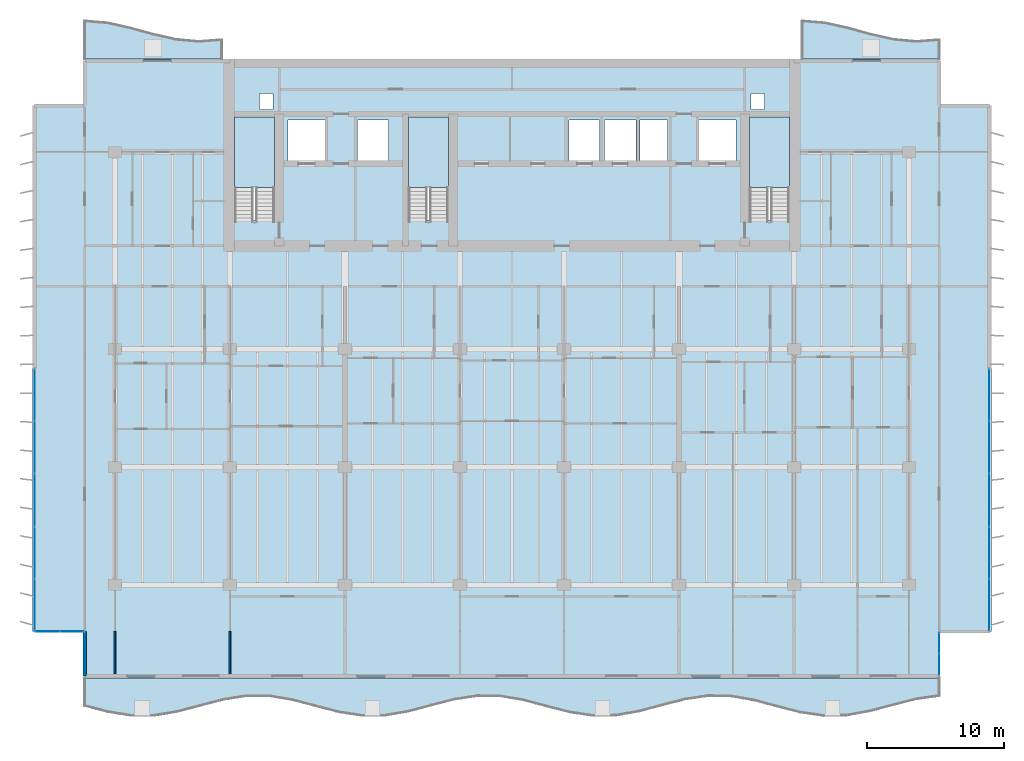
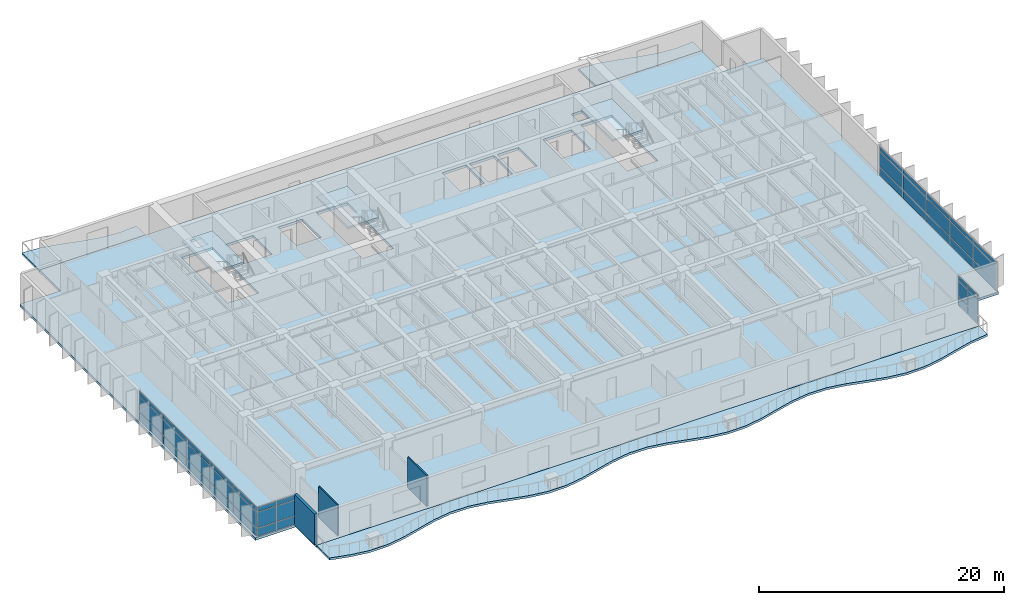
# One storey, part 5 of 15: 42 plates, 7 slabs, 3 walls, 7 elements without a shape of their own.
"""IFC4 building model written with IfcOpenShell, lengths in metres."""

from ifc_helpers import new_model, si_unit, direction, frame, frame_2d, origin, origin_2d, place, context, subcontext, project, spatial, polyline, rectangle, outline, extrude, material, layer, layer_set, type_object, element, aggregate, save


model = new_model("IFC4")

# Units and contexts
model_context = context("Model", 3, precision=1e-05, world=origin(), true_north=direction((0.0, 1.0)))
body_context = subcontext(model_context, "Body", "Model", "MODEL_VIEW")
ifc_project = project(units=[si_unit("LENGTHUNIT", "METRE"), si_unit("AREAUNIT", "SQUARE_METRE"), si_unit("VOLUMEUNIT", "CUBIC_METRE"), si_unit("PLANEANGLEUNIT", "RADIAN"), si_unit("MASSUNIT", "GRAM", prefix="KILO")], contexts=[model_context])

# Site, building, storey
site_placement = place(None, origin())
site = spatial("IfcSite", under=ifc_project, at=site_placement, CompositionType="ELEMENT")
building_placement = place(site_placement, origin())
building = spatial("IfcBuilding", under=site, at=building_placement, Name="Caelmar Bay Residences", CompositionType="ELEMENT")
storey_placement = place(building_placement, frame((0.0, 0.0, 135.60009765625)))
storey = spatial("IfcBuildingStorey", under=building, at=storey_placement, Name="L37", CompositionType="ELEMENT", Elevation=135.60009765625)

# Curtain wall, plates
ifc_material_1 = material(Name="Anodised bronze aluminium 6063-T6 and laminated glass", Category="aluminium")
ifc_layer_1 = layer(ifc_material_1, 0.179931640625)
ifc_layer_set_1 = layer_set([ifc_layer_1], Name="Anodised bronze aluminium 6063-T6 and laminated glass")
curtain_wall_type_1 = type_object("IfcCurtainWallType", Name="CW6-NTC", PredefinedType="NOTDEFINED", material=ifc_layer_set_1)
curtain_wall_1_placement = place(storey_placement, origin())
curtain_wall_1 = element("IfcCurtainWall", 1, at=curtain_wall_1_placement, inside=storey, type_object=curtain_wall_type_1, Name="CW6 curtain wall L37", PredefinedType="NOTDEFINED")
ifc_material_2 = material(Name="Bronze-tinted laminated low-E hurricane glass 28 mm", Category="glass")
ifc_layer_2 = layer(ifc_material_2, 0.028076171875)
ifc_layer_set_2 = layer_set([ifc_layer_2], Name="Bronze-tinted laminated low-E hurricane glass 28 mm")
plate_type = type_object("IfcPlateType", Name="CWP-GLZ28", PredefinedType="CURTAIN_PANEL", material=ifc_layer_set_2)
plate_1_placement = place(storey_placement, frame((4.982421875, 8.800048828125, 0.080078125), z_axis=(0.0, 0.0, 1.0), x_axis=(1.0, 0.0, 0.0)))
plate_1 = element("IfcPlate", 2, at=plate_1_placement, type_object=plate_type, Name="CW6 panel 1.1", PredefinedType="CURTAIN_PANEL", context=body_context, shape_type="SweptSolid", body=[
    extrude(rectangle(XDim=1.705078125, YDim=0.028076171875, at=origin_2d()), origin(), (0.0, 0.0, 1.0), 0.780029296875),
])
plate_2_placement = place(storey_placement, frame((4.982421875, 8.800048828125, 0.93994140625), z_axis=(0.0, 0.0, 1.0), x_axis=(1.0, 0.0, 0.0)))
plate_2 = element("IfcPlate", 3, at=plate_2_placement, type_object=plate_type, Name="CW6 panel 1.2", PredefinedType="CURTAIN_PANEL", context=body_context, shape_type="SweptSolid", body=[
    extrude(rectangle(XDim=1.705078125, YDim=0.028076171875, at=origin_2d()), origin(), (0.0, 0.0, 1.0), 1.52001953125),
])
plate_3_placement = place(storey_placement, frame((4.982421875, 8.800048828125, 2.5400390625), z_axis=(0.0, 0.0, 1.0), x_axis=(1.0, 0.0, 0.0)))
plate_3 = element("IfcPlate", 4, at=plate_3_placement, type_object=plate_type, Name="CW6 panel 1.3", PredefinedType="CURTAIN_PANEL", context=body_context, shape_type="SweptSolid", body=[
    extrude(rectangle(XDim=1.705078125, YDim=0.028076171875, at=origin_2d()), origin(), (0.0, 0.0, 1.0), 0.429931640625),
])
plate_4_placement = place(storey_placement, frame((6.767578125, 8.800048828125, 0.080078125), z_axis=(0.0, 0.0, 1.0), x_axis=(1.0, 0.0, 0.0)))
plate_4 = element("IfcPlate", 5, at=plate_4_placement, type_object=plate_type, Name="CW6 panel 2.1", PredefinedType="CURTAIN_PANEL", context=body_context, shape_type="SweptSolid", body=[
    extrude(rectangle(XDim=1.705078125, YDim=0.028076171875, at=origin_2d()), origin(), (0.0, 0.0, 1.0), 0.780029296875),
])
plate_5_placement = place(storey_placement, frame((6.767578125, 8.800048828125, 0.93994140625), z_axis=(0.0, 0.0, 1.0), x_axis=(1.0, 0.0, 0.0)))
plate_5 = element("IfcPlate", 6, at=plate_5_placement, type_object=plate_type, Name="CW6 panel 2.2", PredefinedType="CURTAIN_PANEL", context=body_context, shape_type="SweptSolid", body=[
    extrude(rectangle(XDim=1.705078125, YDim=0.028076171875, at=origin_2d()), origin(), (0.0, 0.0, 1.0), 1.52001953125),
])
plate_6_placement = place(storey_placement, frame((6.767578125, 8.800048828125, 2.5400390625), z_axis=(0.0, 0.0, 1.0), x_axis=(1.0, 0.0, 0.0)))
plate_6 = element("IfcPlate", 7, at=plate_6_placement, type_object=plate_type, Name="CW6 panel 2.3", PredefinedType="CURTAIN_PANEL", context=body_context, shape_type="SweptSolid", body=[
    extrude(rectangle(XDim=1.705078125, YDim=0.028076171875, at=origin_2d()), origin(), (0.0, 0.0, 1.0), 0.429931640625),
])
aggregate(curtain_wall_1, [plate_1, plate_2, plate_3, plate_4, plate_5, plate_6])

curtain_wall_2_placement = place(storey_placement, origin())
curtain_wall_2 = element("IfcCurtainWall", 8, at=curtain_wall_2_placement, inside=storey, type_object=curtain_wall_type_1, Name="CW6 curtain wall L37", PredefinedType="NOTDEFINED")
plate_7_placement = place(storey_placement, frame((70.10009765625, 6.382568359375, 0.080078125), z_axis=(0.0, 0.0, 1.0), x_axis=(0.0, 1.0, 0.0)))
plate_7 = element("IfcPlate", 9, at=plate_7_placement, type_object=plate_type, Name="CW6 panel 1.1", PredefinedType="CURTAIN_PANEL", context=body_context, shape_type="SweptSolid", body=[
    extrude(rectangle(XDim=1.5048828125, YDim=0.028076171875, at=origin_2d()), origin(), (0.0, 0.0, 1.0), 0.780029296875),
])
plate_8_placement = place(storey_placement, frame((70.10009765625, 6.382568359375, 0.93994140625), z_axis=(0.0, 0.0, 1.0), x_axis=(0.0, 1.0, 0.0)))
plate_8 = element("IfcPlate", 10, at=plate_8_placement, type_object=plate_type, Name="CW6 panel 1.2", PredefinedType="CURTAIN_PANEL", context=body_context, shape_type="SweptSolid", body=[
    extrude(rectangle(XDim=1.5048828125, YDim=0.028076171875, at=origin_2d()), origin(), (0.0, 0.0, 1.0), 1.52001953125),
])
plate_9_placement = place(storey_placement, frame((70.10009765625, 6.382568359375, 2.5400390625), z_axis=(0.0, 0.0, 1.0), x_axis=(0.0, 1.0, 0.0)))
plate_9 = element("IfcPlate", 11, at=plate_9_placement, type_object=plate_type, Name="CW6 panel 1.3", PredefinedType="CURTAIN_PANEL", context=body_context, shape_type="SweptSolid", body=[
    extrude(rectangle(XDim=1.5048828125, YDim=0.028076171875, at=origin_2d()), origin(), (0.0, 0.0, 1.0), 0.429931640625),
])
plate_10_placement = place(storey_placement, frame((70.10009765625, 7.967529296875, 0.080078125), z_axis=(0.0, 0.0, 1.0), x_axis=(0.0, 1.0, 0.0)))
plate_10 = element("IfcPlate", 12, at=plate_10_placement, type_object=plate_type, Name="CW6 panel 2.1", PredefinedType="CURTAIN_PANEL", context=body_context, shape_type="SweptSolid", body=[
    extrude(rectangle(XDim=1.5048828125, YDim=0.028076171875, at=origin_2d()), origin(), (0.0, 0.0, 1.0), 0.780029296875),
])
plate_11_placement = place(storey_placement, frame((70.10009765625, 7.967529296875, 0.93994140625), z_axis=(0.0, 0.0, 1.0), x_axis=(0.0, 1.0, 0.0)))
plate_11 = element("IfcPlate", 13, at=plate_11_placement, type_object=plate_type, Name="CW6 panel 2.2", PredefinedType="CURTAIN_PANEL", context=body_context, shape_type="SweptSolid", body=[
    extrude(rectangle(XDim=1.5048828125, YDim=0.028076171875, at=origin_2d()), origin(), (0.0, 0.0, 1.0), 1.52001953125),
])
plate_12_placement = place(storey_placement, frame((70.10009765625, 7.967529296875, 2.5400390625), z_axis=(0.0, 0.0, 1.0), x_axis=(0.0, 1.0, 0.0)))
plate_12 = element("IfcPlate", 14, at=plate_12_placement, type_object=plate_type, Name="CW6 panel 2.3", PredefinedType="CURTAIN_PANEL", context=body_context, shape_type="SweptSolid", body=[
    extrude(rectangle(XDim=1.5048828125, YDim=0.028076171875, at=origin_2d()), origin(), (0.0, 0.0, 1.0), 0.429931640625),
])
aggregate(curtain_wall_2, [plate_7, plate_8, plate_9, plate_10, plate_11, plate_12])

ifc_layer_3 = layer(ifc_material_1, 0.179931640625)
ifc_layer_set_3 = layer_set([ifc_layer_3], Name="Anodised bronze aluminium 6063-T6 and laminated glass")
curtain_wall_type_2 = type_object("IfcCurtainWallType", Name="CW3-Z2", PredefinedType="NOTDEFINED", material=ifc_layer_set_3)
curtain_wall_3_placement = place(storey_placement, origin())
curtain_wall_3 = element("IfcCurtainWall", 15, at=curtain_wall_3_placement, inside=storey, type_object=curtain_wall_type_2, Name="CW3 curtain wall L37", PredefinedType="NOTDEFINED")
plate_13_placement = place(storey_placement, frame((4.050048828125, 10.739990234375, 0.080078125), z_axis=(0.0, 0.0, 1.0), x_axis=(0.0, 1.0, 0.0)))
plate_13 = element("IfcPlate", 16, at=plate_13_placement, type_object=plate_type, Name="CW3 panel 1.1", PredefinedType="CURTAIN_PANEL", context=body_context, shape_type="SweptSolid", body=[
    extrude(rectangle(XDim=3.719970703125, YDim=0.028076171875, at=origin_2d()), origin(), (0.0, 0.0, 1.0), 0.780029296875),
])
plate_14_placement = place(storey_placement, frame((4.050048828125, 10.739990234375, 0.93994140625), z_axis=(0.0, 0.0, 1.0), x_axis=(0.0, 1.0, 0.0)))
plate_14 = element("IfcPlate", 17, at=plate_14_placement, type_object=plate_type, Name="CW3 panel 1.2", PredefinedType="CURTAIN_PANEL", context=body_context, shape_type="SweptSolid", body=[
    extrude(rectangle(XDim=3.719970703125, YDim=0.028076171875, at=origin_2d()), origin(), (0.0, 0.0, 1.0), 1.52001953125),
])
plate_15_placement = place(storey_placement, frame((4.050048828125, 10.739990234375, 2.5400390625), z_axis=(0.0, 0.0, 1.0), x_axis=(0.0, 1.0, 0.0)))
plate_15 = element("IfcPlate", 18, at=plate_15_placement, type_object=plate_type, Name="CW3 panel 1.3", PredefinedType="CURTAIN_PANEL", context=body_context, shape_type="SweptSolid", body=[
    extrude(rectangle(XDim=3.719970703125, YDim=0.028076171875, at=origin_2d()), origin(), (0.0, 0.0, 1.0), 0.429931640625),
])
plate_16_placement = place(storey_placement, frame((4.050048828125, 14.56005859375, 0.080078125), z_axis=(0.0, 0.0, 1.0), x_axis=(0.0, 1.0, 0.0)))
plate_16 = element("IfcPlate", 19, at=plate_16_placement, type_object=plate_type, Name="CW3 panel 2.1", PredefinedType="CURTAIN_PANEL", context=body_context, shape_type="SweptSolid", body=[
    extrude(rectangle(XDim=3.760009765625, YDim=0.028076171875, at=origin_2d()), origin(), (0.0, 0.0, 1.0), 0.780029296875),
])
plate_17_placement = place(storey_placement, frame((4.050048828125, 14.56005859375, 0.93994140625), z_axis=(0.0, 0.0, 1.0), x_axis=(0.0, 1.0, 0.0)))
plate_17 = element("IfcPlate", 20, at=plate_17_placement, type_object=plate_type, Name="CW3 panel 2.2", PredefinedType="CURTAIN_PANEL", context=body_context, shape_type="SweptSolid", body=[
    extrude(rectangle(XDim=3.760009765625, YDim=0.028076171875, at=origin_2d()), origin(), (0.0, 0.0, 1.0), 1.52001953125),
])
plate_18_placement = place(storey_placement, frame((4.050048828125, 14.56005859375, 2.5400390625), z_axis=(0.0, 0.0, 1.0), x_axis=(0.0, 1.0, 0.0)))
plate_18 = element("IfcPlate", 21, at=plate_18_placement, type_object=plate_type, Name="CW3 panel 2.3", PredefinedType="CURTAIN_PANEL", context=body_context, shape_type="SweptSolid", body=[
    extrude(rectangle(XDim=3.760009765625, YDim=0.028076171875, at=origin_2d()), origin(), (0.0, 0.0, 1.0), 0.429931640625),
])
plate_19_placement = place(storey_placement, frame((4.050048828125, 18.39990234375, 0.080078125), z_axis=(0.0, 0.0, 1.0), x_axis=(0.0, 1.0, 0.0)))
plate_19 = element("IfcPlate", 22, at=plate_19_placement, type_object=plate_type, Name="CW3 panel 3.1", PredefinedType="CURTAIN_PANEL", context=body_context, shape_type="SweptSolid", body=[
    extrude(rectangle(XDim=3.760009765625, YDim=0.028076171875, at=origin_2d()), origin(), (0.0, 0.0, 1.0), 0.780029296875),
])
plate_20_placement = place(storey_placement, frame((4.050048828125, 18.39990234375, 0.93994140625), z_axis=(0.0, 0.0, 1.0), x_axis=(0.0, 1.0, 0.0)))
plate_20 = element("IfcPlate", 23, at=plate_20_placement, type_object=plate_type, Name="CW3 panel 3.2", PredefinedType="CURTAIN_PANEL", context=body_context, shape_type="SweptSolid", body=[
    extrude(rectangle(XDim=3.760009765625, YDim=0.028076171875, at=origin_2d()), origin(), (0.0, 0.0, 1.0), 1.52001953125),
])
plate_21_placement = place(storey_placement, frame((4.050048828125, 18.39990234375, 2.5400390625), z_axis=(0.0, 0.0, 1.0), x_axis=(0.0, 1.0, 0.0)))
plate_21 = element("IfcPlate", 24, at=plate_21_placement, type_object=plate_type, Name="CW3 panel 3.3", PredefinedType="CURTAIN_PANEL", context=body_context, shape_type="SweptSolid", body=[
    extrude(rectangle(XDim=3.760009765625, YDim=0.028076171875, at=origin_2d()), origin(), (0.0, 0.0, 1.0), 0.429931640625),
])
plate_22_placement = place(storey_placement, frame((4.050048828125, 22.239990234375, 0.080078125), z_axis=(0.0, 0.0, 1.0), x_axis=(0.0, 1.0, 0.0)))
plate_22 = element("IfcPlate", 25, at=plate_22_placement, type_object=plate_type, Name="CW3 panel 4.1", PredefinedType="CURTAIN_PANEL", context=body_context, shape_type="SweptSolid", body=[
    extrude(rectangle(XDim=3.760009765625, YDim=0.028076171875, at=origin_2d()), origin(), (0.0, 0.0, 1.0), 0.780029296875),
])
plate_23_placement = place(storey_placement, frame((4.050048828125, 22.239990234375, 0.93994140625), z_axis=(0.0, 0.0, 1.0), x_axis=(0.0, 1.0, 0.0)))
plate_23 = element("IfcPlate", 26, at=plate_23_placement, type_object=plate_type, Name="CW3 panel 4.2", PredefinedType="CURTAIN_PANEL", context=body_context, shape_type="SweptSolid", body=[
    extrude(rectangle(XDim=3.760009765625, YDim=0.028076171875, at=origin_2d()), origin(), (0.0, 0.0, 1.0), 1.52001953125),
])
plate_24_placement = place(storey_placement, frame((4.050048828125, 22.239990234375, 2.5400390625), z_axis=(0.0, 0.0, 1.0), x_axis=(0.0, 1.0, 0.0)))
plate_24 = element("IfcPlate", 27, at=plate_24_placement, type_object=plate_type, Name="CW3 panel 4.3", PredefinedType="CURTAIN_PANEL", context=body_context, shape_type="SweptSolid", body=[
    extrude(rectangle(XDim=3.760009765625, YDim=0.028076171875, at=origin_2d()), origin(), (0.0, 0.0, 1.0), 0.429931640625),
])
plate_25_placement = place(storey_placement, frame((4.050048828125, 26.06005859375, 0.080078125), z_axis=(0.0, 0.0, 1.0), x_axis=(0.0, 1.0, 0.0)))
plate_25 = element("IfcPlate", 28, at=plate_25_placement, type_object=plate_type, Name="CW3 panel 5.1", PredefinedType="CURTAIN_PANEL", context=body_context, shape_type="SweptSolid", body=[
    extrude(rectangle(XDim=3.719970703125, YDim=0.028076171875, at=origin_2d()), origin(), (0.0, 0.0, 1.0), 0.780029296875),
])
plate_26_placement = place(storey_placement, frame((4.050048828125, 26.06005859375, 0.93994140625), z_axis=(0.0, 0.0, 1.0), x_axis=(0.0, 1.0, 0.0)))
plate_26 = element("IfcPlate", 29, at=plate_26_placement, type_object=plate_type, Name="CW3 panel 5.2", PredefinedType="CURTAIN_PANEL", context=body_context, shape_type="SweptSolid", body=[
    extrude(rectangle(XDim=3.719970703125, YDim=0.028076171875, at=origin_2d()), origin(), (0.0, 0.0, 1.0), 1.52001953125),
])
plate_27_placement = place(storey_placement, frame((4.050048828125, 26.06005859375, 2.5400390625), z_axis=(0.0, 0.0, 1.0), x_axis=(0.0, 1.0, 0.0)))
plate_27 = element("IfcPlate", 30, at=plate_27_placement, type_object=plate_type, Name="CW3 panel 5.3", PredefinedType="CURTAIN_PANEL", context=body_context, shape_type="SweptSolid", body=[
    extrude(rectangle(XDim=3.719970703125, YDim=0.028076171875, at=origin_2d()), origin(), (0.0, 0.0, 1.0), 0.429931640625),
])
aggregate(curtain_wall_3, [plate_13, plate_14, plate_15, plate_16, plate_17, plate_18, plate_19, plate_20, plate_21, plate_22, plate_23, plate_24, plate_25, plate_26, plate_27])

curtain_wall_4_placement = place(storey_placement, origin())
curtain_wall_4 = element("IfcCurtainWall", 31, at=curtain_wall_4_placement, inside=storey, type_object=curtain_wall_type_2, Name="CW3 curtain wall L37", PredefinedType="NOTDEFINED")
plate_28_placement = place(storey_placement, frame((73.75, 26.06005859375, 0.080078125), z_axis=(0.0, 0.0, 1.0), x_axis=(0.0, -1.0, 0.0)))
plate_28 = element("IfcPlate", 32, at=plate_28_placement, type_object=plate_type, Name="CW3 panel 1.1", PredefinedType="CURTAIN_PANEL", context=body_context, shape_type="SweptSolid", body=[
    extrude(rectangle(XDim=3.719970703125, YDim=0.028076171875, at=origin_2d()), origin(), (0.0, 0.0, 1.0), 0.780029296875),
])
plate_29_placement = place(storey_placement, frame((73.75, 26.06005859375, 0.93994140625), z_axis=(0.0, 0.0, 1.0), x_axis=(0.0, -1.0, 0.0)))
plate_29 = element("IfcPlate", 33, at=plate_29_placement, type_object=plate_type, Name="CW3 panel 1.2", PredefinedType="CURTAIN_PANEL", context=body_context, shape_type="SweptSolid", body=[
    extrude(rectangle(XDim=3.719970703125, YDim=0.028076171875, at=origin_2d()), origin(), (0.0, 0.0, 1.0), 1.52001953125),
])
plate_30_placement = place(storey_placement, frame((73.75, 26.06005859375, 2.5400390625), z_axis=(0.0, 0.0, 1.0), x_axis=(0.0, -1.0, 0.0)))
plate_30 = element("IfcPlate", 34, at=plate_30_placement, type_object=plate_type, Name="CW3 panel 1.3", PredefinedType="CURTAIN_PANEL", context=body_context, shape_type="SweptSolid", body=[
    extrude(rectangle(XDim=3.719970703125, YDim=0.028076171875, at=origin_2d()), origin(), (0.0, 0.0, 1.0), 0.429931640625),
])
plate_31_placement = place(storey_placement, frame((73.75, 22.239990234375, 0.080078125), z_axis=(0.0, 0.0, 1.0), x_axis=(0.0, -1.0, 0.0)))
plate_31 = element("IfcPlate", 35, at=plate_31_placement, type_object=plate_type, Name="CW3 panel 2.1", PredefinedType="CURTAIN_PANEL", context=body_context, shape_type="SweptSolid", body=[
    extrude(rectangle(XDim=3.760009765625, YDim=0.028076171875, at=origin_2d()), origin(), (0.0, 0.0, 1.0), 0.780029296875),
])
plate_32_placement = place(storey_placement, frame((73.75, 22.239990234375, 0.93994140625), z_axis=(0.0, 0.0, 1.0), x_axis=(0.0, -1.0, 0.0)))
plate_32 = element("IfcPlate", 36, at=plate_32_placement, type_object=plate_type, Name="CW3 panel 2.2", PredefinedType="CURTAIN_PANEL", context=body_context, shape_type="SweptSolid", body=[
    extrude(rectangle(XDim=3.760009765625, YDim=0.028076171875, at=origin_2d()), origin(), (0.0, 0.0, 1.0), 1.52001953125),
])
plate_33_placement = place(storey_placement, frame((73.75, 22.239990234375, 2.5400390625), z_axis=(0.0, 0.0, 1.0), x_axis=(0.0, -1.0, 0.0)))
plate_33 = element("IfcPlate", 37, at=plate_33_placement, type_object=plate_type, Name="CW3 panel 2.3", PredefinedType="CURTAIN_PANEL", context=body_context, shape_type="SweptSolid", body=[
    extrude(rectangle(XDim=3.760009765625, YDim=0.028076171875, at=origin_2d()), origin(), (0.0, 0.0, 1.0), 0.429931640625),
])
plate_34_placement = place(storey_placement, frame((73.75, 18.39990234375, 0.080078125), z_axis=(0.0, 0.0, 1.0), x_axis=(0.0, -1.0, 0.0)))
plate_34 = element("IfcPlate", 38, at=plate_34_placement, type_object=plate_type, Name="CW3 panel 3.1", PredefinedType="CURTAIN_PANEL", context=body_context, shape_type="SweptSolid", body=[
    extrude(rectangle(XDim=3.760009765625, YDim=0.028076171875, at=origin_2d()), origin(), (0.0, 0.0, 1.0), 0.780029296875),
])
plate_35_placement = place(storey_placement, frame((73.75, 18.39990234375, 0.93994140625), z_axis=(0.0, 0.0, 1.0), x_axis=(0.0, -1.0, 0.0)))
plate_35 = element("IfcPlate", 39, at=plate_35_placement, type_object=plate_type, Name="CW3 panel 3.2", PredefinedType="CURTAIN_PANEL", context=body_context, shape_type="SweptSolid", body=[
    extrude(rectangle(XDim=3.760009765625, YDim=0.028076171875, at=origin_2d()), origin(), (0.0, 0.0, 1.0), 1.52001953125),
])
plate_36_placement = place(storey_placement, frame((73.75, 18.39990234375, 2.5400390625), z_axis=(0.0, 0.0, 1.0), x_axis=(0.0, -1.0, 0.0)))
plate_36 = element("IfcPlate", 40, at=plate_36_placement, type_object=plate_type, Name="CW3 panel 3.3", PredefinedType="CURTAIN_PANEL", context=body_context, shape_type="SweptSolid", body=[
    extrude(rectangle(XDim=3.760009765625, YDim=0.028076171875, at=origin_2d()), origin(), (0.0, 0.0, 1.0), 0.429931640625),
])
plate_37_placement = place(storey_placement, frame((73.75, 14.56005859375, 0.080078125), z_axis=(0.0, 0.0, 1.0), x_axis=(0.0, -1.0, 0.0)))
plate_37 = element("IfcPlate", 41, at=plate_37_placement, type_object=plate_type, Name="CW3 panel 4.1", PredefinedType="CURTAIN_PANEL", context=body_context, shape_type="SweptSolid", body=[
    extrude(rectangle(XDim=3.760009765625, YDim=0.028076171875, at=origin_2d()), origin(), (0.0, 0.0, 1.0), 0.780029296875),
])
plate_38_placement = place(storey_placement, frame((73.75, 14.56005859375, 0.93994140625), z_axis=(0.0, 0.0, 1.0), x_axis=(0.0, -1.0, 0.0)))
plate_38 = element("IfcPlate", 42, at=plate_38_placement, type_object=plate_type, Name="CW3 panel 4.2", PredefinedType="CURTAIN_PANEL", context=body_context, shape_type="SweptSolid", body=[
    extrude(rectangle(XDim=3.760009765625, YDim=0.028076171875, at=origin_2d()), origin(), (0.0, 0.0, 1.0), 1.52001953125),
])
plate_39_placement = place(storey_placement, frame((73.75, 14.56005859375, 2.5400390625), z_axis=(0.0, 0.0, 1.0), x_axis=(0.0, -1.0, 0.0)))
plate_39 = element("IfcPlate", 43, at=plate_39_placement, type_object=plate_type, Name="CW3 panel 4.3", PredefinedType="CURTAIN_PANEL", context=body_context, shape_type="SweptSolid", body=[
    extrude(rectangle(XDim=3.760009765625, YDim=0.028076171875, at=origin_2d()), origin(), (0.0, 0.0, 1.0), 0.429931640625),
])
plate_40_placement = place(storey_placement, frame((73.75, 10.739990234375, 0.080078125), z_axis=(0.0, 0.0, 1.0), x_axis=(0.0, -1.0, 0.0)))
plate_40 = element("IfcPlate", 44, at=plate_40_placement, type_object=plate_type, Name="CW3 panel 5.1", PredefinedType="CURTAIN_PANEL", context=body_context, shape_type="SweptSolid", body=[
    extrude(rectangle(XDim=3.719970703125, YDim=0.028076171875, at=origin_2d()), origin(), (0.0, 0.0, 1.0), 0.780029296875),
])
plate_41_placement = place(storey_placement, frame((73.75, 10.739990234375, 0.93994140625), z_axis=(0.0, 0.0, 1.0), x_axis=(0.0, -1.0, 0.0)))
plate_41 = element("IfcPlate", 45, at=plate_41_placement, type_object=plate_type, Name="CW3 panel 5.2", PredefinedType="CURTAIN_PANEL", context=body_context, shape_type="SweptSolid", body=[
    extrude(rectangle(XDim=3.719970703125, YDim=0.028076171875, at=origin_2d()), origin(), (0.0, 0.0, 1.0), 1.52001953125),
])
plate_42_placement = place(storey_placement, frame((73.75, 10.739990234375, 2.5400390625), z_axis=(0.0, 0.0, 1.0), x_axis=(0.0, -1.0, 0.0)))
plate_42 = element("IfcPlate", 46, at=plate_42_placement, type_object=plate_type, Name="CW3 panel 5.3", PredefinedType="CURTAIN_PANEL", context=body_context, shape_type="SweptSolid", body=[
    extrude(rectangle(XDim=3.719970703125, YDim=0.028076171875, at=origin_2d()), origin(), (0.0, 0.0, 1.0), 0.429931640625),
])
aggregate(curtain_wall_4, [plate_28, plate_29, plate_30, plate_31, plate_32, plate_33, plate_34, plate_35, plate_36, plate_37, plate_38, plate_39, plate_40, plate_41, plate_42])

# Slabs
ifc_material_3 = material(Name="Concrete f'c 40 MPa (6,000 psi)", Category="concrete")
ifc_layer_4 = layer(ifc_material_3, 0.219970703125)
ifc_layer_set_4 = layer_set([ifc_layer_4], Name="Concrete f'c 40 MPa (6,000 psi)")
slab_type_1 = type_object("IfcSlabType", Name="SLB-BAL-220", PredefinedType="FLOOR", material=ifc_layer_set_4)
slab_1_placement = place(storey_placement, frame((0.0, 0.0, -0.22021484375)))
element("IfcSlab", 47, at=slab_1_placement, inside=storey, type_object=slab_type_1, Name="L37 Sinusoidal Tree-Balcony Slab south", PredefinedType="FLOOR", context=body_context, shape_type="SweptSolid", body=[
    extrude(outline(polyline([(7.699951171875, 3.300048828125), (9.386474609375, 2.857666015625), (11.072998046875, 2.585693359375), (12.759521484375, 2.58837890625), (14.44580078125, 2.864990234375), (16.13232421875, 3.30908203125), (17.81884765625, 3.74951171875), (19.50537109375, 4.01708984375), (21.19189453125, 4.0087890625), (22.87841796875, 3.7275390625), (24.56494140625, 3.28173828125), (26.25146484375, 2.843017578125), (27.937744140625, 2.580322265625), (29.624267578125, 2.594482421875), (31.310791015625, 2.8798828125), (32.997314453125, 3.327392578125), (34.683837890625, 3.76416015625), (36.370361328125, 4.022216796875), (38.056884765625, 4.00244140625), (39.7431640625, 3.71240234375), (41.4296875, 3.263671875), (43.1162109375, 2.828857421875), (44.802734375, 2.575439453125), (46.4892578125, 2.6005859375), (48.17578125, 2.895263671875), (49.8623046875, 3.345458984375), (51.548583984375, 3.7783203125), (53.235107421875, 4.02685546875), (54.921630859375, 3.995849609375), (56.608154296875, 3.697021484375), (58.294677734375, 3.24560546875), (59.981201171875, 2.814697265625), (61.66748046875, 2.57080078125), (63.35400390625, 2.607421875), (65.04052734375, 2.91064453125), (66.72705078125, 3.363525390625), (68.41357421875, 3.7919921875), (70.10009765625, 4.03125), (70.10009765625, 5.39990234375), (7.699951171875, 5.39990234375), (7.699951171875, 3.300048828125)])), origin(), (0.0, 0.0, 1.0), 0.22021484375),
])
slab_2_placement = place(storey_placement, frame((0.0, 0.0, -0.22021484375)))
element("IfcSlab", 48, at=slab_2_placement, inside=storey, type_object=slab_type_1, Name="L37 Sinusoidal Tree-Balcony Slab north_west", PredefinedType="FLOOR", context=body_context, shape_type="SweptSolid", body=[
    extrude(outline(polyline([(7.699951171875, 50.60009765625), (17.699951171875, 50.60009765625), (17.699951171875, 52.080322265625), (16.033203125, 51.9501953125), (14.36669921875, 52.10205078125), (12.699951171875, 52.47900390625), (11.033203125, 52.93896484375), (9.36669921875, 53.308837890625), (7.699951171875, 53.449951171875), (7.699951171875, 50.60009765625)])), origin(), (0.0, 0.0, 1.0), 0.22021484375),
])
slab_3_placement = place(storey_placement, frame((0.0, 0.0, -0.22021484375)))
element("IfcSlab", 49, at=slab_3_placement, inside=storey, type_object=slab_type_1, Name="L37 Sinusoidal Tree-Balcony Slab north_east", PredefinedType="FLOOR", context=body_context, shape_type="SweptSolid", body=[
    extrude(outline(polyline([(60.10009765625, 50.60009765625), (70.10009765625, 50.60009765625), (70.10009765625, 52.080322265625), (68.433349609375, 51.9501953125), (66.7666015625, 52.10205078125), (65.10009765625, 52.47900390625), (63.433349609375, 52.93896484375), (61.7666015625, 53.308837890625), (60.10009765625, 53.449951171875), (60.10009765625, 50.60009765625)])), origin(), (0.0, 0.0, 1.0), 0.22021484375),
])

# Stair, slab
stair_type = type_object("IfcStairType", Name="ST-TYP-165", PredefinedType="HALF_TURN_STAIR", material=ifc_material_3)
stair_1_placement = place(storey_placement, origin())
stair_1 = element("IfcStair", 50, at=stair_1_placement, inside=storey, type_object=stair_type, Name="L37 West Smokeproof Exit Stair ST1", PredefinedType="HALF_TURN_STAIR")
ifc_layer_5 = layer(ifc_material_3, 0.199951171875)
ifc_layer_set_5 = layer_set([ifc_layer_5], Name="Concrete f'c 40 MPa (6,000 psi)")
slab_type_2 = type_object("IfcSlabType", Name="SLB-LND-200", PredefinedType="LANDING", material=ifc_layer_set_5)
slab_4_placement = place(storey_placement, frame((0.0, 0.0, 1.449951171875)))
slab_4 = element("IfcSlab", 51, at=slab_4_placement, type_object=slab_type_2, Name="ST1 landing 1", PredefinedType="LANDING", context=body_context, shape_type="SweptSolid", body=[
    extrude(outline(polyline([(21.550048828125, 41.219970703125), (21.550048828125, 46.35009765625), (18.64990234375, 46.35009765625), (18.64990234375, 41.219970703125), (21.550048828125, 41.219970703125)])), origin(), (0.0, 0.0, 1.0), 0.199951171875),
])
aggregate(stair_1, [slab_4])

stair_2_placement = place(storey_placement, origin())
stair_2 = element("IfcStair", 52, at=stair_2_placement, inside=storey, type_object=stair_type, Name="L37 East Smokeproof Exit Stair ST2", PredefinedType="HALF_TURN_STAIR")
slab_5_placement = place(storey_placement, frame((0.0, 0.0, 1.449951171875)))
slab_5 = element("IfcSlab", 53, at=slab_5_placement, type_object=slab_type_2, Name="ST2 landing 1", PredefinedType="LANDING", context=body_context, shape_type="SweptSolid", body=[
    extrude(outline(polyline([(59.14990234375, 41.219970703125), (59.14990234375, 46.35009765625), (56.25, 46.35009765625), (56.25, 41.219970703125), (59.14990234375, 41.219970703125)])), origin(), (0.0, 0.0, 1.0), 0.199951171875),
])
aggregate(stair_2, [slab_5])

stair_3_placement = place(storey_placement, origin())
stair_3 = element("IfcStair", 54, at=stair_3_placement, inside=storey, type_object=stair_type, Name="L37 Central Smokeproof Exit Stair ST3", PredefinedType="HALF_TURN_STAIR")
slab_6_placement = place(storey_placement, frame((0.0, 0.0, 1.449951171875)))
slab_6 = element("IfcSlab", 55, at=slab_6_placement, type_object=slab_type_2, Name="ST3 landing 1", PredefinedType="LANDING", context=body_context, shape_type="SweptSolid", body=[
    extrude(outline(polyline([(34.25, 41.219970703125), (34.25, 46.35009765625), (31.35009765625, 46.35009765625), (31.35009765625, 41.219970703125), (34.25, 41.219970703125)])), origin(), (0.0, 0.0, 1.0), 0.199951171875),
])
aggregate(stair_3, [slab_6])

# Slab
ifc_layer_6 = layer(ifc_material_3, 0.25)
ifc_layer_set_6 = layer_set([ifc_layer_6], Name="Concrete f'c 40 MPa (6,000 psi)")
slab_type_3 = type_object("IfcSlabType", Name="SLB-RES-250", PredefinedType="FLOOR", material=ifc_layer_set_6)
slab_7_placement = place(storey_placement, frame((0.0, 0.0, -0.25)))
element("IfcSlab", 56, at=slab_7_placement, inside=storey, type_object=slab_type_3, Name="L37 Structural Floor Slab", PredefinedType="FLOOR", context=body_context, shape_type="SweptSolid", body=[
    extrude(outline(polyline([(7.699951171875, 5.39990234375), (70.10009765625, 5.39990234375), (70.10009765625, 8.800048828125), (73.89990234375, 8.800048828125), (73.89990234375, 47.199951171875), (70.10009765625, 47.199951171875), (70.10009765625, 50.60009765625), (7.699951171875, 50.60009765625), (7.699951171875, 47.199951171875), (3.89990234375, 47.199951171875), (3.89990234375, 8.800048828125), (7.699951171875, 8.800048828125), (7.699951171875, 5.39990234375)]), holes=[polyline([(18.64990234375, 38.85009765625), (21.550048828125, 38.85009765625), (21.550048828125, 46.35009765625), (18.64990234375, 46.35009765625), (18.64990234375, 38.85009765625)]), polyline([(56.25, 38.85009765625), (59.14990234375, 38.85009765625), (59.14990234375, 46.35009765625), (56.25, 46.35009765625), (56.25, 38.85009765625)]), polyline([(31.35009765625, 38.85009765625), (34.25, 38.85009765625), (34.25, 46.35009765625), (31.35009765625, 46.35009765625), (31.35009765625, 38.85009765625)]), polyline([(22.550048828125, 43.050048828125), (25.25, 43.050048828125), (25.25, 46.14990234375), (22.550048828125, 46.14990234375), (22.550048828125, 43.050048828125)]), polyline([(52.550048828125, 43.050048828125), (55.25, 43.050048828125), (55.25, 46.14990234375), (52.550048828125, 46.14990234375), (52.550048828125, 43.050048828125)]), polyline([(43.050048828125, 43.14990234375), (45.300048828125, 43.14990234375), (45.300048828125, 46.14990234375), (43.050048828125, 46.14990234375), (43.050048828125, 43.14990234375)]), polyline([(45.64990234375, 43.14990234375), (47.949951171875, 43.14990234375), (47.949951171875, 46.14990234375), (45.64990234375, 46.14990234375), (45.64990234375, 43.14990234375)]), polyline([(48.25, 43.14990234375), (50.25, 43.14990234375), (50.25, 46.14990234375), (48.25, 46.14990234375), (48.25, 43.14990234375)]), polyline([(27.60009765625, 43.14990234375), (29.89990234375, 43.14990234375), (29.89990234375, 46.14990234375), (27.60009765625, 46.14990234375), (27.60009765625, 43.14990234375)]), polyline([(20.449951171875, 46.89990234375), (21.449951171875, 46.89990234375), (21.449951171875, 48.10009765625), (20.449951171875, 48.10009765625), (20.449951171875, 46.89990234375)]), polyline([(56.35009765625, 46.89990234375), (57.35009765625, 46.89990234375), (57.35009765625, 48.10009765625), (56.35009765625, 48.10009765625), (56.35009765625, 46.89990234375)])]), origin(), (0.0, 0.0, 1.0), 0.25),
])

# Walls
ifc_material_4 = material(Name="Precast concrete f'c 40 MPa (6,000 psi)", Category="concrete")
ifc_layer_7 = layer(ifc_material_4, 0.25)
ifc_layer_set_7 = layer_set([ifc_layer_7], Name="Precast concrete f'c 40 MPa (6,000 psi)")
wall_type_1 = type_object("IfcWallType", Name="W-EXT-250", PredefinedType="ELEMENTEDWALL", material=ifc_layer_set_7)
wall_placement = place(storey_placement, frame((7.699951171875, 8.800048828125, 0.0), z_axis=(0.0, 0.0, 1.0), x_axis=(0.0, -1.0, 0.0)))
element("IfcWall", 57, at=wall_placement, inside=storey, type_object=wall_type_1, Name="L37 SW Notch Return Wall", PredefinedType="ELEMENTEDWALL", context=body_context, shape_type="SweptSolid", body=[
    extrude(rectangle(XDim=3.25, YDim=0.25, at=frame_2d((1.625, 0.0))), origin(), (0.0, 0.0, 1.0), 3.0498046875),
])
ifc_material_5 = material(Name="Acoustic metal-stud gypsum partition 120 mm")
ifc_layer_8 = layer(ifc_material_5, 0.1201171875)
ifc_layer_set_8 = layer_set([ifc_layer_8], Name="Acoustic metal-stud gypsum partition 120 mm")
wall_type_2 = type_object("IfcWallType", Name="W-PRT-120", PredefinedType="PARTITIONING", material=ifc_layer_set_8)
for number, where, z_axis, x_axis, name in (
    (58, (9.89990234375, 5.695068359375, 0.0), (0.0, 0.0, 1.0), (0.0, 1.0, 0.0), "L37 Partition Wall V006"),
    (59, (18.300048828125, 5.695068359375, 0.0), (0.0, 0.0, 1.0), (0.0, 1.0, 0.0), "L37 Partition Wall V014"),
):
    element("IfcWall", number, at=place(storey_placement, frame(where, z_axis=z_axis, x_axis=x_axis)), inside=storey, type_object=wall_type_2, Name=name, PredefinedType="PARTITIONING", context=body_context, shape_type="SweptSolid", body=[
        extrude(rectangle(XDim=3.10498046875, YDim=0.1201171875, at=frame_2d((1.552490234375, 0.0))), origin(), (0.0, 0.0, 1.0), 3.0498046875),
    ])

save(model, "model.ifc")
